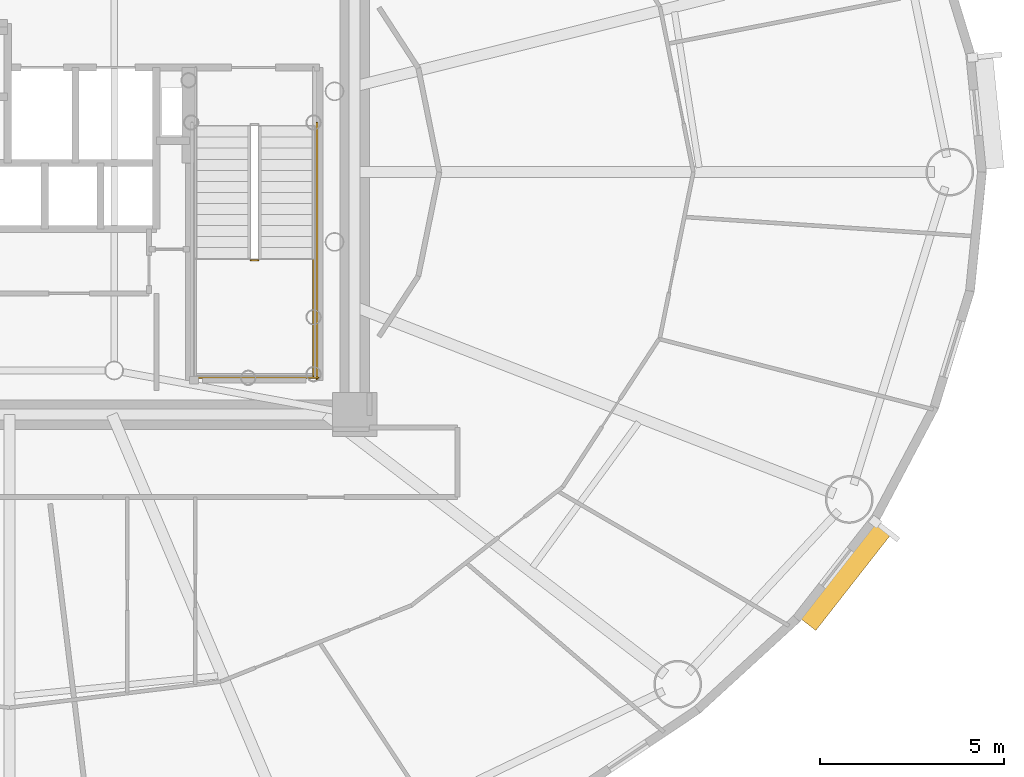
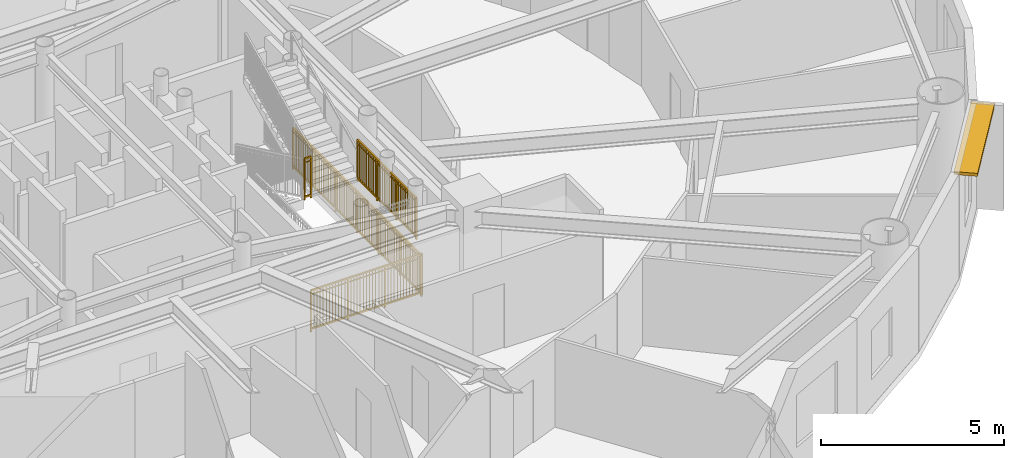
# One storey, part 17 of 18: 4 railings, 1 shading device.
"""IFC4 building model written with IfcOpenShell, lengths in metres."""

from ifc_helpers import new_model, si_unit, direction, frame, origin, origin_2d, place, context, subcontext, project, spatial, rectangle, extrude, source, transform, mapped, material, layer, layer_set, type_object, element, save


model = new_model("IFC4")

# Units and contexts
model_context = context("Model", 3, precision=1e-05, world=origin(), true_north=direction((0.0, 1.0)))
body_context = subcontext(model_context, "Body", "Model", "MODEL_VIEW")
ifc_project = project(units=[si_unit("LENGTHUNIT", "METRE"), si_unit("AREAUNIT", "SQUARE_METRE"), si_unit("VOLUMEUNIT", "CUBIC_METRE"), si_unit("PLANEANGLEUNIT", "RADIAN"), si_unit("MASSUNIT", "GRAM", prefix="KILO")], contexts=[model_context])

# Site, building, storey
site_placement = place(None, origin())
site = spatial("IfcSite", under=ifc_project, at=site_placement, CompositionType="ELEMENT")
building_placement = place(site_placement, origin())
building = spatial("IfcBuilding", under=site, at=building_placement, Name="Linh Dai School and Residence Tower", CompositionType="ELEMENT")
storey_placement = place(building_placement, frame((0.0, 0.0, 167.39990234375)))
storey = spatial("IfcBuildingStorey", under=building, at=storey_placement, Name="L40", CompositionType="ELEMENT", Elevation=167.39990234375)

# Shading device
ifc_material_1 = material(Name="Terracotta Ceramic Sunshade", Category="masonry")
ifc_layer = layer(ifc_material_1, 0.10009765625)
ifc_layer_set = layer_set([ifc_layer], Name="Terracotta Ceramic Sunshade")
shading_device_type = type_object("IfcShadingDeviceType", Name="SHD-TC-650", PredefinedType="USERDEFINED", material=ifc_layer_set)
shared_shape_1 = source(origin(), body_context, "Body", "SweptSolid", [
    extrude(rectangle(XDim=3.376708984375, YDim=0.64990234375, at=origin_2d()), origin(), (0.0, 0.0, 1.0), 0.10009765625),
])
shading_device_placement = place(storey_placement, frame((58.736572265625, 16.05078125, 3.380126953125), z_axis=(0.0, 0.0, 1.0), x_axis=(-0.616286337798, -0.787522158319, 0.0)))
element("IfcShadingDevice", 1, at=shading_device_placement, inside=storey, type_object=shading_device_type, Name="L40 Terracotta Horizontal Sunshade Band 37", ObjectType="SUNSHADE", PredefinedType="USERDEFINED", context=body_context, shape_type="MappedRepresentation", body=[
    mapped(shared_shape_1, transform((0.0, 0.0, 0.0), x_axis=(1.0, 0.0, 0.0), y_axis=(0.0, 1.0, 0.0), z_axis=(0.0, 0.0, 1.0), scale=1.0)),
])

# Railings
ifc_material_2 = material(Name="Structural Steel S355JR", Category="steel")
railing_type = type_object("IfcRailingType", Name="RL-ST-GUARD-1400", PredefinedType="GUARDRAIL", material=ifc_material_2)
shared_shape_2 = source(origin(), body_context, "Body", "SweptSolid", [
    extrude(rectangle(XDim=0.048095703125, YDim=0.048095703125, at=origin_2d()), frame((0.0, 0.0, 1.3759765625), z_axis=(1.0, 0.0, 0.0), x_axis=(0.0, 1.0, 0.0)), (0.0, 0.0, 1.0), 0.199951171875),
    extrude(rectangle(XDim=0.048095703125, YDim=0.048095703125, at=origin_2d()), frame((0.0, 0.0, 0.10009765625), z_axis=(1.0, 0.0, 0.0), x_axis=(0.0, 1.0, 0.0)), (0.0, 0.0, 1.0), 0.199951171875),
    extrude(rectangle(XDim=0.030029296875, YDim=0.030029296875, at=origin_2d()), frame((0.0, 0.0, 1.239990234375), z_axis=(1.0, 0.0, 0.0), x_axis=(0.0, 1.0, 0.0)), (0.0, 0.0, 1.0), 0.199951171875),
    extrude(rectangle(XDim=0.0419921875, YDim=0.0419921875, at=origin_2d()), origin(), (0.0, 0.0, 1.0), 1.3759765625),
    extrude(rectangle(XDim=0.0419921875, YDim=0.0419921875, at=origin_2d()), frame((0.199951171875, 0.0, 0.0)), (0.0, 0.0, 1.0), 1.3759765625),
])
railing_1_placement = place(storey_placement, frame((42.570068359375, 24.60009765625, 1.875)))
element("IfcRailing", 2, at=railing_1_placement, inside=storey, type_object=railing_type, Name="L40 ST2 stair guard 2", PredefinedType="GUARDRAIL", context=body_context, shape_type="MappedRepresentation", body=[
    mapped(shared_shape_2, transform((0.0, 0.0, 0.0), x_axis=(1.0, 0.0, 0.0), y_axis=(0.0, 1.0, 0.0), z_axis=(0.0, 0.0, 1.0), scale=1.0)),
])
shared_shape_3 = source(origin(), body_context, "Body", "SweptSolid", [
    extrude(rectangle(XDim=0.048095703125, YDim=0.048095703125, at=origin_2d()), frame((0.0, 0.0, 1.3759765625), z_axis=(0.0, -1.0, 0.0), x_axis=(1.0, 0.0, 0.0)), (0.0, 0.0, 1.0), 7.0),
    extrude(rectangle(XDim=0.048095703125, YDim=0.048095703125, at=origin_2d()), frame((0.0, 0.0, 0.10009765625), z_axis=(0.0, -1.0, 0.0), x_axis=(1.0, 0.0, 0.0)), (0.0, 0.0, 1.0), 7.0),
    extrude(rectangle(XDim=0.030029296875, YDim=0.030029296875, at=origin_2d()), frame((0.0, 0.0, 1.239990234375), z_axis=(0.0, -1.0, 0.0), x_axis=(1.0, 0.0, 0.0)), (0.0, 0.0, 1.0), 7.0),
    extrude(rectangle(XDim=0.02001953125, YDim=0.02001953125, at=origin_2d()), frame((0.0, -0.09716796875, 0.10009765625)), (0.0, 0.0, 1.0), 1.251708984375),
    extrude(rectangle(XDim=0.02001953125, YDim=0.02001953125, at=origin_2d()), frame((0.0, -0.1943359375, 0.10009765625)), (0.0, 0.0, 1.0), 1.251708984375),
    extrude(rectangle(XDim=0.02001953125, YDim=0.02001953125, at=origin_2d()), frame((0.0, -0.291748046875, 0.10009765625)), (0.0, 0.0, 1.0), 1.251708984375),
    extrude(rectangle(XDim=0.02001953125, YDim=0.02001953125, at=origin_2d()), frame((0.0, -0.388916015625, 0.10009765625)), (0.0, 0.0, 1.0), 1.251708984375),
    extrude(rectangle(XDim=0.02001953125, YDim=0.02001953125, at=origin_2d()), frame((0.0, -0.486083984375, 0.10009765625)), (0.0, 0.0, 1.0), 1.251708984375),
    extrude(rectangle(XDim=0.02001953125, YDim=0.02001953125, at=origin_2d()), frame((0.0, -0.583251953125, 0.10009765625)), (0.0, 0.0, 1.0), 1.251708984375),
    extrude(rectangle(XDim=0.02001953125, YDim=0.02001953125, at=origin_2d()), frame((0.0, -0.6806640625, 0.10009765625)), (0.0, 0.0, 1.0), 1.251708984375),
    extrude(rectangle(XDim=0.02001953125, YDim=0.02001953125, at=origin_2d()), frame((0.0, -0.77783203125, 0.10009765625)), (0.0, 0.0, 1.0), 1.251708984375),
    extrude(rectangle(XDim=0.02001953125, YDim=0.02001953125, at=origin_2d()), frame((0.0, -0.875, 0.10009765625)), (0.0, 0.0, 1.0), 1.251708984375),
    extrude(rectangle(XDim=0.02001953125, YDim=0.02001953125, at=origin_2d()), frame((0.0, -0.97216796875, 0.10009765625)), (0.0, 0.0, 1.0), 1.251708984375),
    extrude(rectangle(XDim=0.02001953125, YDim=0.02001953125, at=origin_2d()), frame((0.0, -1.0693359375, 0.10009765625)), (0.0, 0.0, 1.0), 1.251708984375),
    extrude(rectangle(XDim=0.02001953125, YDim=0.02001953125, at=origin_2d()), frame((0.0, -1.263916015625, 0.10009765625)), (0.0, 0.0, 1.0), 1.251708984375),
    extrude(rectangle(XDim=0.02001953125, YDim=0.02001953125, at=origin_2d()), frame((0.0, -1.361083984375, 0.10009765625)), (0.0, 0.0, 1.0), 1.251708984375),
    extrude(rectangle(XDim=0.02001953125, YDim=0.02001953125, at=origin_2d()), frame((0.0, -1.458251953125, 0.10009765625)), (0.0, 0.0, 1.0), 1.251708984375),
    extrude(rectangle(XDim=0.02001953125, YDim=0.02001953125, at=origin_2d()), frame((0.0, -1.5556640625, 0.10009765625)), (0.0, 0.0, 1.0), 1.251708984375),
    extrude(rectangle(XDim=0.02001953125, YDim=0.02001953125, at=origin_2d()), frame((0.0, -1.65283203125, 0.10009765625)), (0.0, 0.0, 1.0), 1.251708984375),
    extrude(rectangle(XDim=0.02001953125, YDim=0.02001953125, at=origin_2d()), frame((0.0, -1.75, 0.10009765625)), (0.0, 0.0, 1.0), 1.251708984375),
    extrude(rectangle(XDim=0.02001953125, YDim=0.02001953125, at=origin_2d()), frame((0.0, -1.84716796875, 0.10009765625)), (0.0, 0.0, 1.0), 1.251708984375),
    extrude(rectangle(XDim=0.02001953125, YDim=0.02001953125, at=origin_2d()), frame((0.0, -1.9443359375, 0.10009765625)), (0.0, 0.0, 1.0), 1.251708984375),
    extrude(rectangle(XDim=0.02001953125, YDim=0.02001953125, at=origin_2d()), frame((0.0, -2.041748046875, 0.10009765625)), (0.0, 0.0, 1.0), 1.251708984375),
    extrude(rectangle(XDim=0.02001953125, YDim=0.02001953125, at=origin_2d()), frame((0.0, -2.138916015625, 0.10009765625)), (0.0, 0.0, 1.0), 1.251708984375),
    extrude(rectangle(XDim=0.02001953125, YDim=0.02001953125, at=origin_2d()), frame((0.0, -2.236083984375, 0.10009765625)), (0.0, 0.0, 1.0), 1.251708984375),
    extrude(rectangle(XDim=0.02001953125, YDim=0.02001953125, at=origin_2d()), frame((0.0, -2.4306640625, 0.10009765625)), (0.0, 0.0, 1.0), 1.251708984375),
    extrude(rectangle(XDim=0.02001953125, YDim=0.02001953125, at=origin_2d()), frame((0.0, -2.52783203125, 0.10009765625)), (0.0, 0.0, 1.0), 1.251708984375),
    extrude(rectangle(XDim=0.02001953125, YDim=0.02001953125, at=origin_2d()), frame((0.0, -2.625, 0.10009765625)), (0.0, 0.0, 1.0), 1.251708984375),
    extrude(rectangle(XDim=0.02001953125, YDim=0.02001953125, at=origin_2d()), frame((0.0, -2.72216796875, 0.10009765625)), (0.0, 0.0, 1.0), 1.251708984375),
    extrude(rectangle(XDim=0.02001953125, YDim=0.02001953125, at=origin_2d()), frame((0.0, -2.8193359375, 0.10009765625)), (0.0, 0.0, 1.0), 1.251708984375),
    extrude(rectangle(XDim=0.02001953125, YDim=0.02001953125, at=origin_2d()), frame((0.0, -2.916748046875, 0.10009765625)), (0.0, 0.0, 1.0), 1.251708984375),
    extrude(rectangle(XDim=0.02001953125, YDim=0.02001953125, at=origin_2d()), frame((0.0, -3.013916015625, 0.10009765625)), (0.0, 0.0, 1.0), 1.251708984375),
    extrude(rectangle(XDim=0.02001953125, YDim=0.02001953125, at=origin_2d()), frame((0.0, -3.111083984375, 0.10009765625)), (0.0, 0.0, 1.0), 1.251708984375),
    extrude(rectangle(XDim=0.02001953125, YDim=0.02001953125, at=origin_2d()), frame((0.0, -3.208251953125, 0.10009765625)), (0.0, 0.0, 1.0), 1.251708984375),
    extrude(rectangle(XDim=0.02001953125, YDim=0.02001953125, at=origin_2d()), frame((0.0, -3.3056640625, 0.10009765625)), (0.0, 0.0, 1.0), 1.251708984375),
    extrude(rectangle(XDim=0.02001953125, YDim=0.02001953125, at=origin_2d()), frame((0.0, -3.40283203125, 0.10009765625)), (0.0, 0.0, 1.0), 1.251708984375),
    extrude(rectangle(XDim=0.02001953125, YDim=0.02001953125, at=origin_2d()), frame((0.0, -3.59716796875, 0.10009765625)), (0.0, 0.0, 1.0), 1.251708984375),
    extrude(rectangle(XDim=0.02001953125, YDim=0.02001953125, at=origin_2d()), frame((0.0, -3.6943359375, 0.10009765625)), (0.0, 0.0, 1.0), 1.251708984375),
    extrude(rectangle(XDim=0.02001953125, YDim=0.02001953125, at=origin_2d()), frame((0.0, -3.791748046875, 0.10009765625)), (0.0, 0.0, 1.0), 1.251708984375),
    extrude(rectangle(XDim=0.02001953125, YDim=0.02001953125, at=origin_2d()), frame((0.0, -3.888916015625, 0.10009765625)), (0.0, 0.0, 1.0), 1.251708984375),
    extrude(rectangle(XDim=0.02001953125, YDim=0.02001953125, at=origin_2d()), frame((0.0, -3.986083984375, 0.10009765625)), (0.0, 0.0, 1.0), 1.251708984375),
    extrude(rectangle(XDim=0.02001953125, YDim=0.02001953125, at=origin_2d()), frame((0.0, -4.083251953125, 0.10009765625)), (0.0, 0.0, 1.0), 1.251708984375),
    extrude(rectangle(XDim=0.02001953125, YDim=0.02001953125, at=origin_2d()), frame((0.0, -4.1806640625, 0.10009765625)), (0.0, 0.0, 1.0), 1.251708984375),
    extrude(rectangle(XDim=0.02001953125, YDim=0.02001953125, at=origin_2d()), frame((0.0, -4.27783203125, 0.10009765625)), (0.0, 0.0, 1.0), 1.251708984375),
    extrude(rectangle(XDim=0.02001953125, YDim=0.02001953125, at=origin_2d()), frame((0.0, -4.375, 0.10009765625)), (0.0, 0.0, 1.0), 1.251708984375),
    extrude(rectangle(XDim=0.02001953125, YDim=0.02001953125, at=origin_2d()), frame((0.0, -4.47216796875, 0.10009765625)), (0.0, 0.0, 1.0), 1.251708984375),
    extrude(rectangle(XDim=0.02001953125, YDim=0.02001953125, at=origin_2d()), frame((0.0, -4.5693359375, 0.10009765625)), (0.0, 0.0, 1.0), 1.251708984375),
    extrude(rectangle(XDim=0.02001953125, YDim=0.02001953125, at=origin_2d()), frame((0.0, -4.763916015625, 0.10009765625)), (0.0, 0.0, 1.0), 1.251708984375),
    extrude(rectangle(XDim=0.02001953125, YDim=0.02001953125, at=origin_2d()), frame((0.0, -4.861083984375, 0.10009765625)), (0.0, 0.0, 1.0), 1.251708984375),
    extrude(rectangle(XDim=0.02001953125, YDim=0.02001953125, at=origin_2d()), frame((0.0, -4.958251953125, 0.10009765625)), (0.0, 0.0, 1.0), 1.251708984375),
    extrude(rectangle(XDim=0.02001953125, YDim=0.02001953125, at=origin_2d()), frame((0.0, -5.0556640625, 0.10009765625)), (0.0, 0.0, 1.0), 1.251708984375),
    extrude(rectangle(XDim=0.02001953125, YDim=0.02001953125, at=origin_2d()), frame((0.0, -5.15283203125, 0.10009765625)), (0.0, 0.0, 1.0), 1.251708984375),
    extrude(rectangle(XDim=0.02001953125, YDim=0.02001953125, at=origin_2d()), frame((0.0, -5.25, 0.10009765625)), (0.0, 0.0, 1.0), 1.251708984375),
    extrude(rectangle(XDim=0.02001953125, YDim=0.02001953125, at=origin_2d()), frame((0.0, -5.34716796875, 0.10009765625)), (0.0, 0.0, 1.0), 1.251708984375),
    extrude(rectangle(XDim=0.02001953125, YDim=0.02001953125, at=origin_2d()), frame((0.0, -5.4443359375, 0.10009765625)), (0.0, 0.0, 1.0), 1.251708984375),
    extrude(rectangle(XDim=0.02001953125, YDim=0.02001953125, at=origin_2d()), frame((0.0, -5.541748046875, 0.10009765625)), (0.0, 0.0, 1.0), 1.251708984375),
    extrude(rectangle(XDim=0.02001953125, YDim=0.02001953125, at=origin_2d()), frame((0.0, -5.638916015625, 0.10009765625)), (0.0, 0.0, 1.0), 1.251708984375),
    extrude(rectangle(XDim=0.02001953125, YDim=0.02001953125, at=origin_2d()), frame((0.0, -5.736083984375, 0.10009765625)), (0.0, 0.0, 1.0), 1.251708984375),
    extrude(rectangle(XDim=0.02001953125, YDim=0.02001953125, at=origin_2d()), frame((0.0, -5.9306640625, 0.10009765625)), (0.0, 0.0, 1.0), 1.251708984375),
    extrude(rectangle(XDim=0.02001953125, YDim=0.02001953125, at=origin_2d()), frame((0.0, -6.02783203125, 0.10009765625)), (0.0, 0.0, 1.0), 1.251708984375),
    extrude(rectangle(XDim=0.02001953125, YDim=0.02001953125, at=origin_2d()), frame((0.0, -6.125, 0.10009765625)), (0.0, 0.0, 1.0), 1.251708984375),
    extrude(rectangle(XDim=0.02001953125, YDim=0.02001953125, at=origin_2d()), frame((0.0, -6.22216796875, 0.10009765625)), (0.0, 0.0, 1.0), 1.251708984375),
    extrude(rectangle(XDim=0.02001953125, YDim=0.02001953125, at=origin_2d()), frame((0.0, -6.3193359375, 0.10009765625)), (0.0, 0.0, 1.0), 1.251708984375),
    extrude(rectangle(XDim=0.02001953125, YDim=0.02001953125, at=origin_2d()), frame((0.0, -6.416748046875, 0.10009765625)), (0.0, 0.0, 1.0), 1.251708984375),
    extrude(rectangle(XDim=0.02001953125, YDim=0.02001953125, at=origin_2d()), frame((0.0, -6.513916015625, 0.10009765625)), (0.0, 0.0, 1.0), 1.251708984375),
    extrude(rectangle(XDim=0.02001953125, YDim=0.02001953125, at=origin_2d()), frame((0.0, -6.611083984375, 0.10009765625)), (0.0, 0.0, 1.0), 1.251708984375),
    extrude(rectangle(XDim=0.02001953125, YDim=0.02001953125, at=origin_2d()), frame((0.0, -6.708251953125, 0.10009765625)), (0.0, 0.0, 1.0), 1.251708984375),
    extrude(rectangle(XDim=0.02001953125, YDim=0.02001953125, at=origin_2d()), frame((0.0, -6.8056640625, 0.10009765625)), (0.0, 0.0, 1.0), 1.251708984375),
    extrude(rectangle(XDim=0.02001953125, YDim=0.02001953125, at=origin_2d()), frame((0.0, -6.90283203125, 0.10009765625)), (0.0, 0.0, 1.0), 1.251708984375),
    extrude(rectangle(XDim=0.0419921875, YDim=0.0419921875, at=origin_2d()), origin(), (0.0, 0.0, 1.0), 1.3759765625),
    extrude(rectangle(XDim=0.0419921875, YDim=0.0419921875, at=origin_2d()), frame((0.0, -1.166748046875, 0.0)), (0.0, 0.0, 1.0), 1.3759765625),
    extrude(rectangle(XDim=0.0419921875, YDim=0.0419921875, at=origin_2d()), frame((0.0, -2.333251953125, 0.0)), (0.0, 0.0, 1.0), 1.3759765625),
    extrude(rectangle(XDim=0.0419921875, YDim=0.0419921875, at=origin_2d()), frame((0.0, -3.5, 0.0)), (0.0, 0.0, 1.0), 1.3759765625),
    extrude(rectangle(XDim=0.0419921875, YDim=0.0419921875, at=origin_2d()), frame((0.0, -4.666748046875, 0.0)), (0.0, 0.0, 1.0), 1.3759765625),
    extrude(rectangle(XDim=0.0419921875, YDim=0.0419921875, at=origin_2d()), frame((0.0, -5.833251953125, 0.0)), (0.0, 0.0, 1.0), 1.3759765625),
    extrude(rectangle(XDim=0.0419921875, YDim=0.0419921875, at=origin_2d()), frame((0.0, -7.0, 0.0)), (0.0, 0.0, 1.0), 1.3759765625),
])
railing_2_placement = place(storey_placement, frame((44.3701171875, 28.35009765625, 0.0)))
element("IfcRailing", 3, at=railing_2_placement, inside=storey, type_object=railing_type, Name="L40 ST2 stair guard 11", PredefinedType="GUARDRAIL", context=body_context, shape_type="MappedRepresentation", body=[
    mapped(shared_shape_3, transform((0.0, 0.0, 0.0), x_axis=(1.0, 0.0, 0.0), y_axis=(0.0, 1.0, 0.0), z_axis=(0.0, 0.0, 1.0), scale=1.0)),
])
shared_shape_4 = source(origin(), body_context, "Body", "SweptSolid", [
    extrude(rectangle(XDim=0.048095703125, YDim=0.048095703125, at=origin_2d()), frame((0.0, 0.0, 1.3759765625), z_axis=(1.0, 0.0, 0.0), x_axis=(0.0, 1.0, 0.0)), (0.0, 0.0, 1.0), 3.5),
    extrude(rectangle(XDim=0.048095703125, YDim=0.048095703125, at=origin_2d()), frame((0.0, 0.0, 0.10009765625), z_axis=(1.0, 0.0, 0.0), x_axis=(0.0, 1.0, 0.0)), (0.0, 0.0, 1.0), 3.5),
    extrude(rectangle(XDim=0.030029296875, YDim=0.030029296875, at=origin_2d()), frame((0.0, 0.0, 1.239990234375), z_axis=(1.0, 0.0, 0.0), x_axis=(0.0, 1.0, 0.0)), (0.0, 0.0, 1.0), 3.5),
    extrude(rectangle(XDim=0.02001953125, YDim=0.02001953125, at=origin_2d()), frame((0.09716796875, 0.0, 0.10009765625)), (0.0, 0.0, 1.0), 1.251708984375),
    extrude(rectangle(XDim=0.02001953125, YDim=0.02001953125, at=origin_2d()), frame((0.1943359375, 0.0, 0.10009765625)), (0.0, 0.0, 1.0), 1.251708984375),
    extrude(rectangle(XDim=0.02001953125, YDim=0.02001953125, at=origin_2d()), frame((0.291748046875, 0.0, 0.10009765625)), (0.0, 0.0, 1.0), 1.251708984375),
    extrude(rectangle(XDim=0.02001953125, YDim=0.02001953125, at=origin_2d()), frame((0.388916015625, 0.0, 0.10009765625)), (0.0, 0.0, 1.0), 1.251708984375),
    extrude(rectangle(XDim=0.02001953125, YDim=0.02001953125, at=origin_2d()), frame((0.486083984375, 0.0, 0.10009765625)), (0.0, 0.0, 1.0), 1.251708984375),
    extrude(rectangle(XDim=0.02001953125, YDim=0.02001953125, at=origin_2d()), frame((0.583251953125, 0.0, 0.10009765625)), (0.0, 0.0, 1.0), 1.251708984375),
    extrude(rectangle(XDim=0.02001953125, YDim=0.02001953125, at=origin_2d()), frame((0.6806640625, 0.0, 0.10009765625)), (0.0, 0.0, 1.0), 1.251708984375),
    extrude(rectangle(XDim=0.02001953125, YDim=0.02001953125, at=origin_2d()), frame((0.77783203125, 0.0, 0.10009765625)), (0.0, 0.0, 1.0), 1.251708984375),
    extrude(rectangle(XDim=0.02001953125, YDim=0.02001953125, at=origin_2d()), frame((0.875, 0.0, 0.10009765625)), (0.0, 0.0, 1.0), 1.251708984375),
    extrude(rectangle(XDim=0.02001953125, YDim=0.02001953125, at=origin_2d()), frame((0.97216796875, 0.0, 0.10009765625)), (0.0, 0.0, 1.0), 1.251708984375),
    extrude(rectangle(XDim=0.02001953125, YDim=0.02001953125, at=origin_2d()), frame((1.0693359375, 0.0, 0.10009765625)), (0.0, 0.0, 1.0), 1.251708984375),
    extrude(rectangle(XDim=0.02001953125, YDim=0.02001953125, at=origin_2d()), frame((1.263916015625, 0.0, 0.10009765625)), (0.0, 0.0, 1.0), 1.251708984375),
    extrude(rectangle(XDim=0.02001953125, YDim=0.02001953125, at=origin_2d()), frame((1.361083984375, 0.0, 0.10009765625)), (0.0, 0.0, 1.0), 1.251708984375),
    extrude(rectangle(XDim=0.02001953125, YDim=0.02001953125, at=origin_2d()), frame((1.458251953125, 0.0, 0.10009765625)), (0.0, 0.0, 1.0), 1.251708984375),
    extrude(rectangle(XDim=0.02001953125, YDim=0.02001953125, at=origin_2d()), frame((1.5556640625, 0.0, 0.10009765625)), (0.0, 0.0, 1.0), 1.251708984375),
    extrude(rectangle(XDim=0.02001953125, YDim=0.02001953125, at=origin_2d()), frame((1.65283203125, 0.0, 0.10009765625)), (0.0, 0.0, 1.0), 1.251708984375),
    extrude(rectangle(XDim=0.02001953125, YDim=0.02001953125, at=origin_2d()), frame((1.75, 0.0, 0.10009765625)), (0.0, 0.0, 1.0), 1.251708984375),
    extrude(rectangle(XDim=0.02001953125, YDim=0.02001953125, at=origin_2d()), frame((1.84716796875, 0.0, 0.10009765625)), (0.0, 0.0, 1.0), 1.251708984375),
    extrude(rectangle(XDim=0.02001953125, YDim=0.02001953125, at=origin_2d()), frame((1.9443359375, 0.0, 0.10009765625)), (0.0, 0.0, 1.0), 1.251708984375),
    extrude(rectangle(XDim=0.02001953125, YDim=0.02001953125, at=origin_2d()), frame((2.041748046875, 0.0, 0.10009765625)), (0.0, 0.0, 1.0), 1.251708984375),
    extrude(rectangle(XDim=0.02001953125, YDim=0.02001953125, at=origin_2d()), frame((2.138916015625, 0.0, 0.10009765625)), (0.0, 0.0, 1.0), 1.251708984375),
    extrude(rectangle(XDim=0.02001953125, YDim=0.02001953125, at=origin_2d()), frame((2.236083984375, 0.0, 0.10009765625)), (0.0, 0.0, 1.0), 1.251708984375),
    extrude(rectangle(XDim=0.02001953125, YDim=0.02001953125, at=origin_2d()), frame((2.4306640625, 0.0, 0.10009765625)), (0.0, 0.0, 1.0), 1.251708984375),
    extrude(rectangle(XDim=0.02001953125, YDim=0.02001953125, at=origin_2d()), frame((2.52783203125, 0.0, 0.10009765625)), (0.0, 0.0, 1.0), 1.251708984375),
    extrude(rectangle(XDim=0.02001953125, YDim=0.02001953125, at=origin_2d()), frame((2.625, 0.0, 0.10009765625)), (0.0, 0.0, 1.0), 1.251708984375),
    extrude(rectangle(XDim=0.02001953125, YDim=0.02001953125, at=origin_2d()), frame((2.72216796875, 0.0, 0.10009765625)), (0.0, 0.0, 1.0), 1.251708984375),
    extrude(rectangle(XDim=0.02001953125, YDim=0.02001953125, at=origin_2d()), frame((2.8193359375, 0.0, 0.10009765625)), (0.0, 0.0, 1.0), 1.251708984375),
    extrude(rectangle(XDim=0.02001953125, YDim=0.02001953125, at=origin_2d()), frame((2.916748046875, 0.0, 0.10009765625)), (0.0, 0.0, 1.0), 1.251708984375),
    extrude(rectangle(XDim=0.02001953125, YDim=0.02001953125, at=origin_2d()), frame((3.013916015625, 0.0, 0.10009765625)), (0.0, 0.0, 1.0), 1.251708984375),
    extrude(rectangle(XDim=0.02001953125, YDim=0.02001953125, at=origin_2d()), frame((3.111083984375, 0.0, 0.10009765625)), (0.0, 0.0, 1.0), 1.251708984375),
    extrude(rectangle(XDim=0.02001953125, YDim=0.02001953125, at=origin_2d()), frame((3.208251953125, 0.0, 0.10009765625)), (0.0, 0.0, 1.0), 1.251708984375),
    extrude(rectangle(XDim=0.02001953125, YDim=0.02001953125, at=origin_2d()), frame((3.3056640625, 0.0, 0.10009765625)), (0.0, 0.0, 1.0), 1.251708984375),
    extrude(rectangle(XDim=0.02001953125, YDim=0.02001953125, at=origin_2d()), frame((3.40283203125, 0.0, 0.10009765625)), (0.0, 0.0, 1.0), 1.251708984375),
    extrude(rectangle(XDim=0.0419921875, YDim=0.0419921875, at=origin_2d()), origin(), (0.0, 0.0, 1.0), 1.3759765625),
    extrude(rectangle(XDim=0.0419921875, YDim=0.0419921875, at=origin_2d()), frame((1.166748046875, 0.0, 0.0)), (0.0, 0.0, 1.0), 1.3759765625),
    extrude(rectangle(XDim=0.0419921875, YDim=0.0419921875, at=origin_2d()), frame((2.333251953125, 0.0, 0.0)), (0.0, 0.0, 1.0), 1.3759765625),
    extrude(rectangle(XDim=0.0419921875, YDim=0.0419921875, at=origin_2d()), frame((3.5, 0.0, 0.0)), (0.0, 0.0, 1.0), 1.3759765625),
])
railing_3_placement = place(storey_placement, frame((40.919921875, 21.39990234375, 0.0)))
element("IfcRailing", 4, at=railing_3_placement, inside=storey, type_object=railing_type, Name="L40 ST2 stair guard 12", PredefinedType="GUARDRAIL", context=body_context, shape_type="MappedRepresentation", body=[
    mapped(shared_shape_4, transform((0.0, 0.0, 0.0), x_axis=(1.0, 0.0, 0.0), y_axis=(0.0, 1.0, 0.0), z_axis=(0.0, 0.0, 1.0), scale=1.0)),
])
shared_shape_5 = source(origin(), body_context, "Body", "SweptSolid", [
    extrude(rectangle(XDim=0.048095703125, YDim=0.048095703125, at=origin_2d()), frame((0.0, 0.0, 1.3759765625), z_axis=(0.0, -1.0, 0.0), x_axis=(1.0, 0.0, 0.0)), (0.0, 0.0, 1.0), 3.199951171875),
    extrude(rectangle(XDim=0.048095703125, YDim=0.048095703125, at=origin_2d()), frame((0.0, 0.0, 0.10009765625), z_axis=(0.0, -1.0, 0.0), x_axis=(1.0, 0.0, 0.0)), (0.0, 0.0, 1.0), 3.199951171875),
    extrude(rectangle(XDim=0.030029296875, YDim=0.030029296875, at=origin_2d()), frame((0.0, 0.0, 1.239990234375), z_axis=(0.0, -1.0, 0.0), x_axis=(1.0, 0.0, 0.0)), (0.0, 0.0, 1.0), 3.199951171875),
    extrude(rectangle(XDim=0.02001953125, YDim=0.02001953125, at=origin_2d()), frame((0.0, -0.096923828125, 0.10009765625)), (0.0, 0.0, 1.0), 1.251708984375),
    extrude(rectangle(XDim=0.02001953125, YDim=0.02001953125, at=origin_2d()), frame((0.0, -0.19384765625, 0.10009765625)), (0.0, 0.0, 1.0), 1.251708984375),
    extrude(rectangle(XDim=0.02001953125, YDim=0.02001953125, at=origin_2d()), frame((0.0, -0.291015625, 0.10009765625)), (0.0, 0.0, 1.0), 1.251708984375),
    extrude(rectangle(XDim=0.02001953125, YDim=0.02001953125, at=origin_2d()), frame((0.0, -0.387939453125, 0.10009765625)), (0.0, 0.0, 1.0), 1.251708984375),
    extrude(rectangle(XDim=0.02001953125, YDim=0.02001953125, at=origin_2d()), frame((0.0, -0.48486328125, 0.10009765625)), (0.0, 0.0, 1.0), 1.251708984375),
    extrude(rectangle(XDim=0.02001953125, YDim=0.02001953125, at=origin_2d()), frame((0.0, -0.581787109375, 0.10009765625)), (0.0, 0.0, 1.0), 1.251708984375),
    extrude(rectangle(XDim=0.02001953125, YDim=0.02001953125, at=origin_2d()), frame((0.0, -0.6787109375, 0.10009765625)), (0.0, 0.0, 1.0), 1.251708984375),
    extrude(rectangle(XDim=0.02001953125, YDim=0.02001953125, at=origin_2d()), frame((0.0, -0.775634765625, 0.10009765625)), (0.0, 0.0, 1.0), 1.251708984375),
    extrude(rectangle(XDim=0.02001953125, YDim=0.02001953125, at=origin_2d()), frame((0.0, -0.872802734375, 0.10009765625)), (0.0, 0.0, 1.0), 1.251708984375),
    extrude(rectangle(XDim=0.02001953125, YDim=0.02001953125, at=origin_2d()), frame((0.0, -0.9697265625, 0.10009765625)), (0.0, 0.0, 1.0), 1.251708984375),
    extrude(rectangle(XDim=0.02001953125, YDim=0.02001953125, at=origin_2d()), frame((0.0, -1.16357421875, 0.10009765625)), (0.0, 0.0, 1.0), 1.251708984375),
    extrude(rectangle(XDim=0.02001953125, YDim=0.02001953125, at=origin_2d()), frame((0.0, -1.260498046875, 0.10009765625)), (0.0, 0.0, 1.0), 1.251708984375),
    extrude(rectangle(XDim=0.02001953125, YDim=0.02001953125, at=origin_2d()), frame((0.0, -1.357666015625, 0.10009765625)), (0.0, 0.0, 1.0), 1.251708984375),
    extrude(rectangle(XDim=0.02001953125, YDim=0.02001953125, at=origin_2d()), frame((0.0, -1.45458984375, 0.10009765625)), (0.0, 0.0, 1.0), 1.251708984375),
    extrude(rectangle(XDim=0.02001953125, YDim=0.02001953125, at=origin_2d()), frame((0.0, -1.551513671875, 0.10009765625)), (0.0, 0.0, 1.0), 1.251708984375),
    extrude(rectangle(XDim=0.02001953125, YDim=0.02001953125, at=origin_2d()), frame((0.0, -1.6484375, 0.10009765625)), (0.0, 0.0, 1.0), 1.251708984375),
    extrude(rectangle(XDim=0.02001953125, YDim=0.02001953125, at=origin_2d()), frame((0.0, -1.745361328125, 0.10009765625)), (0.0, 0.0, 1.0), 1.251708984375),
    extrude(rectangle(XDim=0.02001953125, YDim=0.02001953125, at=origin_2d()), frame((0.0, -1.84228515625, 0.10009765625)), (0.0, 0.0, 1.0), 1.251708984375),
    extrude(rectangle(XDim=0.02001953125, YDim=0.02001953125, at=origin_2d()), frame((0.0, -1.939453125, 0.10009765625)), (0.0, 0.0, 1.0), 1.251708984375),
    extrude(rectangle(XDim=0.02001953125, YDim=0.02001953125, at=origin_2d()), frame((0.0, -2.036376953125, 0.10009765625)), (0.0, 0.0, 1.0), 1.251708984375),
    extrude(rectangle(XDim=0.02001953125, YDim=0.02001953125, at=origin_2d()), frame((0.0, -2.230224609375, 0.10009765625)), (0.0, 0.0, 1.0), 1.251708984375),
    extrude(rectangle(XDim=0.02001953125, YDim=0.02001953125, at=origin_2d()), frame((0.0, -2.3271484375, 0.10009765625)), (0.0, 0.0, 1.0), 1.251708984375),
    extrude(rectangle(XDim=0.02001953125, YDim=0.02001953125, at=origin_2d()), frame((0.0, -2.42431640625, 0.10009765625)), (0.0, 0.0, 1.0), 1.251708984375),
    extrude(rectangle(XDim=0.02001953125, YDim=0.02001953125, at=origin_2d()), frame((0.0, -2.521240234375, 0.10009765625)), (0.0, 0.0, 1.0), 1.251708984375),
    extrude(rectangle(XDim=0.02001953125, YDim=0.02001953125, at=origin_2d()), frame((0.0, -2.6181640625, 0.10009765625)), (0.0, 0.0, 1.0), 1.251708984375),
    extrude(rectangle(XDim=0.02001953125, YDim=0.02001953125, at=origin_2d()), frame((0.0, -2.715087890625, 0.10009765625)), (0.0, 0.0, 1.0), 1.251708984375),
    extrude(rectangle(XDim=0.02001953125, YDim=0.02001953125, at=origin_2d()), frame((0.0, -2.81201171875, 0.10009765625)), (0.0, 0.0, 1.0), 1.251708984375),
    extrude(rectangle(XDim=0.02001953125, YDim=0.02001953125, at=origin_2d()), frame((0.0, -2.908935546875, 0.10009765625)), (0.0, 0.0, 1.0), 1.251708984375),
    extrude(rectangle(XDim=0.02001953125, YDim=0.02001953125, at=origin_2d()), frame((0.0, -3.006103515625, 0.10009765625)), (0.0, 0.0, 1.0), 1.251708984375),
    extrude(rectangle(XDim=0.02001953125, YDim=0.02001953125, at=origin_2d()), frame((0.0, -3.10302734375, 0.10009765625)), (0.0, 0.0, 1.0), 1.251708984375),
    extrude(rectangle(XDim=0.0419921875, YDim=0.0419921875, at=origin_2d()), origin(), (0.0, 0.0, 1.0), 1.3759765625),
    extrude(rectangle(XDim=0.0419921875, YDim=0.0419921875, at=origin_2d()), frame((0.0, -1.066650390625, 0.0)), (0.0, 0.0, 1.0), 1.3759765625),
    extrude(rectangle(XDim=0.0419921875, YDim=0.0419921875, at=origin_2d()), frame((0.0, -2.13330078125, 0.0)), (0.0, 0.0, 1.0), 1.3759765625),
    extrude(rectangle(XDim=0.0419921875, YDim=0.0419921875, at=origin_2d()), frame((0.0, -3.199951171875, 0.0)), (0.0, 0.0, 1.0), 1.3759765625),
])
railing_4_placement = place(storey_placement, frame((44.27001953125, 24.64990234375, 1.875)))
element("IfcRailing", 5, at=railing_4_placement, inside=storey, type_object=railing_type, Name="L40 ST2 stair guard 4", PredefinedType="GUARDRAIL", context=body_context, shape_type="MappedRepresentation", body=[
    mapped(shared_shape_5, transform((0.0, 0.0, 0.0), x_axis=(1.0, 0.0, 0.0), y_axis=(0.0, 1.0, 0.0), z_axis=(0.0, 0.0, 1.0), scale=1.0)),
])

save(model, "model.ifc")
